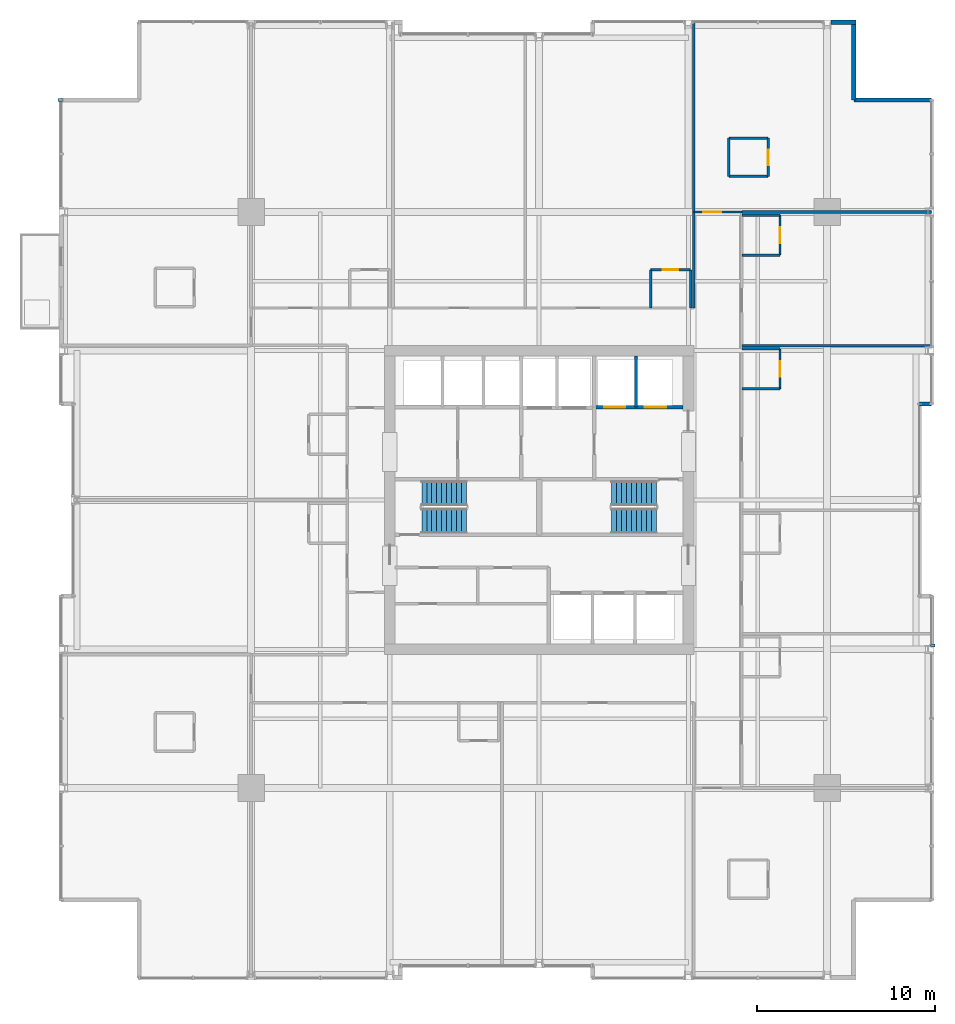
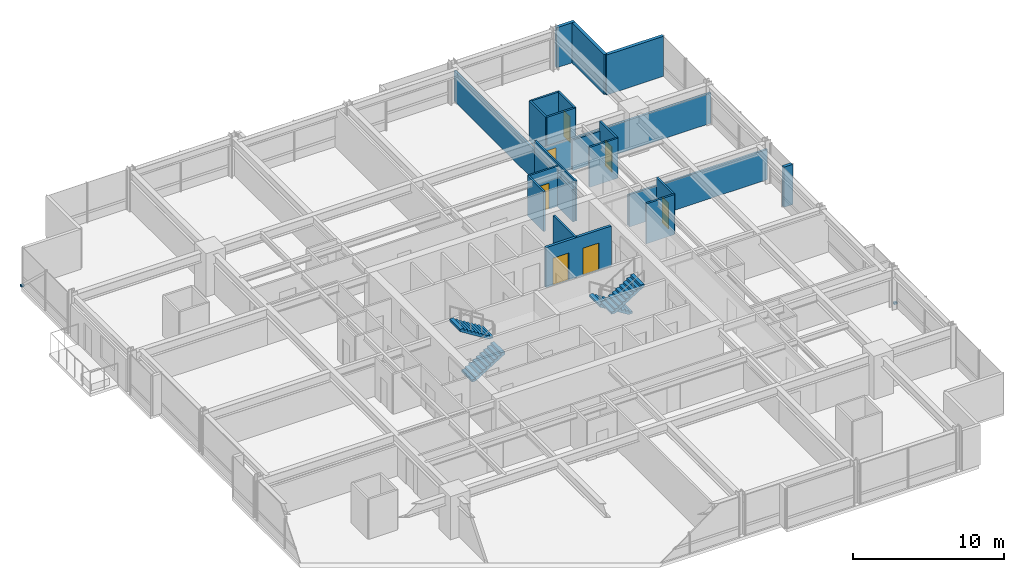
# One storey, part 31 of 33: 24 walls, 7 doors, 4 stair flights, 2 discrete accessories, 7 openings, 2 elements without a shape of their own.
"""IFC4 building model written with IfcOpenShell, lengths in metres."""

from ifc_helpers import new_model, si_unit, direction, frame, frame_2d, origin, origin_2d, place, context, subcontext, project, spatial, polyline, rectangle, outline, extrude, material, layer, layer_set, type_object, element, fill, aggregate, save


model = new_model("IFC4")

# Units and contexts
model_context = context("Model", 3, precision=1e-05, world=origin(), true_north=direction((0.0, 1.0)))
body_context = subcontext(model_context, "Body", "Model", "MODEL_VIEW")
ifc_project = project(units=[si_unit("LENGTHUNIT", "METRE"), si_unit("AREAUNIT", "SQUARE_METRE"), si_unit("VOLUMEUNIT", "CUBIC_METRE"), si_unit("PLANEANGLEUNIT", "RADIAN"), si_unit("MASSUNIT", "GRAM", prefix="KILO")], contexts=[model_context])

# Site, building, storey
site_placement = place(None, origin())
site = spatial("IfcSite", under=ifc_project, at=site_placement, CompositionType="ELEMENT")
building_placement = place(site_placement, origin())
building = spatial("IfcBuilding", under=site, at=building_placement, Name="Drelvath Grand Hotel", CompositionType="ELEMENT")
storey_placement = place(building_placement, frame((0.0, 0.0, 105.800048828125)))
storey = spatial("IfcBuildingStorey", under=building, at=storey_placement, Name="L26", CompositionType="ELEMENT", Elevation=105.800048828125)

# Wall, openings, doors
ifc_material_1 = material(Name="Concrete C40/50", Category="concrete")
ifc_layer_1 = layer(ifc_material_1, 0.199951171875)
ifc_layer_set_1 = layer_set([ifc_layer_1], Name="Concrete C40/50")
wall_type_1 = type_object("IfcWallType", Name="Core Hoistway Fire Wall 200", PredefinedType="SOLIDWALL", material=ifc_layer_set_1)
wall_1_placement = place(storey_placement, frame((3.10009765625, 32.219970703125, 0.0), z_axis=(0.0, 0.0, 1.0), x_axis=(1.0, 0.0, 0.0)))
wall_1 = element("IfcWall", 1, at=wall_1_placement, inside=storey, type_object=wall_type_1, Name="L26 FSAE Hoistway Front Wall", PredefinedType="SOLIDWALL", context=body_context, shape_type="SweptSolid", body=[
    extrude(rectangle(XDim=5.0, YDim=0.199951171875, at=frame_2d((2.5, 0.0))), origin(), (0.0, 0.0, 1.0), 3.239990234375),
])
opening_1_placement = place(wall_1_placement, frame((0.550048828125, 0.0, 0.0)))
opening_1 = element("IfcOpeningElement", 2, at=opening_1_placement, cuts=wall_1, Name="Opening LD-FSAE-1", PredefinedType="OPENING", context=body_context, shape_type="SweptSolid", body=[
    extrude(rectangle(XDim=1.199951171875, YDim=2.199951171875, at=frame_2d((0.60009765625, 1.10009765625))), frame((0.0, 0.10986328125, 0.0), z_axis=(0.0, -1.0, 0.0), x_axis=(1.0, 0.0, 0.0)), (0.0, 0.0, 1.0), 0.219970703125),
])
opening_2_placement = place(wall_1_placement, frame((2.85009765625, 0.0, 0.0)))
opening_2 = element("IfcOpeningElement", 3, at=opening_2_placement, cuts=wall_1, Name="Opening LD-FSAE-2", PredefinedType="OPENING", context=body_context, shape_type="SweptSolid", body=[
    extrude(rectangle(XDim=1.199951171875, YDim=2.199951171875, at=frame_2d((0.60009765625, 1.10009765625))), frame((0.0, 0.10986328125, 0.0), z_axis=(0.0, -1.0, 0.0), x_axis=(1.0, 0.0, 0.0)), (0.0, 0.0, 1.0), 0.219970703125),
])
ifc_material_2 = material(Name="Stainless Steel S355", Category="steel")
door_type_1 = type_object("IfcDoorType", Name="FSAE Lift Sliding Landing Door 1200x2200", OperationType="NOTDEFINED", PredefinedType="DOOR", material=ifc_material_2)
door_1_placement = place(opening_1_placement, origin())
door_1 = element("IfcDoor", 4, at=door_1_placement, inside=storey, type_object=door_type_1, Name="L26 Lift FSAE-1 Landing Door", OperationType="SLIDING_TO_LEFT", OverallHeight=2.199951171875, OverallWidth=1.199951171875, PredefinedType="DOOR", context=body_context, shape_type="SweptSolid", body=[
    extrude(rectangle(XDim=1.199951171875, YDim=2.199951171875, at=frame_2d((0.60009765625, 1.10009765625))), frame((0.0, 0.02490234375, 0.0), z_axis=(0.0, -1.0, 0.0), x_axis=(1.0, 0.0, 0.0)), (0.0, 0.0, 1.0), 0.050048828125),
])
fill(opening_1, door_1)
door_2_placement = place(opening_2_placement, origin())
door_2 = element("IfcDoor", 5, at=door_2_placement, inside=storey, type_object=door_type_1, Name="L26 Lift FSAE-2 Landing Door", OperationType="SLIDING_TO_LEFT", OverallHeight=2.199951171875, OverallWidth=1.199951171875, PredefinedType="DOOR", context=body_context, shape_type="SweptSolid", body=[
    extrude(rectangle(XDim=1.199951171875, YDim=2.199951171875, at=frame_2d((0.60009765625, 1.10009765625))), frame((0.0, 0.02490234375, 0.0), z_axis=(0.0, -1.0, 0.0), x_axis=(1.0, 0.0, 0.0)), (0.0, 0.0, 1.0), 0.050048828125),
])
fill(opening_2, door_2)

# Walls
ifc_material_3 = material(Name="Gypsum Fireboard Partition")
ifc_layer_2 = layer(ifc_material_3, 0.1650390625)
ifc_layer_set_2 = layer_set([ifc_layer_2], Name="Gypsum Fireboard Partition")
wall_type_2 = type_object("IfcWallType", Name="Core Shaft Partition 165", PredefinedType="PARTITIONING", material=ifc_layer_set_2)
wall_2_placement = place(storey_placement, frame((5.449951171875, 32.219970703125, 0.0), z_axis=(0.0, 0.0, 1.0), x_axis=(0.0, 1.0, 0.0)))
element("IfcWall", 6, at=wall_2_placement, inside=storey, type_object=wall_type_2, Name="L26 FSAE Hoistway Divider", PredefinedType="PARTITIONING", context=body_context, shape_type="SweptSolid", body=[
    extrude(rectangle(XDim=2.880126953125, YDim=0.1650390625, at=frame_2d((1.43994140625, 0.0))), origin(), (0.0, 0.0, 1.0), 3.239990234375),
])
ifc_layer_3 = layer(ifc_material_3, 0.135009765625)
ifc_layer_set_3 = layer_set([ifc_layer_3], Name="Gypsum Fireboard Partition")
wall_type_3 = type_object("IfcWallType", Name="Corridor Fire Barrier Wall 135", PredefinedType="PARTITIONING", material=ifc_layer_set_3)
wall_3_placement = place(storey_placement, frame((8.699951171875, 37.800048828125, 0.0), z_axis=(0.0, 0.0, 1.0), x_axis=(0.0, 1.0, 0.0)))
element("IfcWall", 7, at=wall_3_placement, inside=storey, type_object=wall_type_3, Name="L26 East Spine North Inner Wall", PredefinedType="PARTITIONING", context=body_context, shape_type="SweptSolid", body=[
    extrude(rectangle(XDim=5.39990234375, YDim=0.135009765625, at=frame_2d((2.699951171875, 0.0))), origin(), (0.0, 0.0, 1.0), 3.239990234375),
])

# Wall, opening, door
wall_4_placement = place(storey_placement, frame((8.699951171875, 43.199951171875, 0.0), z_axis=(0.0, 0.0, 1.0), x_axis=(1.0, 0.0, 0.0)))
wall_4 = element("IfcWall", 8, at=wall_4_placement, inside=storey, type_object=wall_type_3, Name="L26 East Spine North End", PredefinedType="PARTITIONING", context=body_context, shape_type="SweptSolid", body=[
    extrude(rectangle(XDim=2.699951171875, YDim=0.135009765625, at=frame_2d((1.35009765625, 0.0))), origin(), (0.0, 0.0, 1.0), 2.45166015625),
])
opening_3_placement = place(wall_4_placement, frame((0.52001953125, 0.0, 0.0)))
opening_3 = element("IfcOpeningElement", 9, at=opening_3_placement, cuts=wall_4, Name="Opening D-T2G2-028", PredefinedType="OPENING", context=body_context, shape_type="SweptSolid", body=[
    extrude(rectangle(XDim=1.02001953125, YDim=2.14990234375, at=frame_2d((0.510009765625, 1.074951171875))), frame((0.0, 0.077392578125, 0.0), z_axis=(0.0, -1.0, 0.0), x_axis=(1.0, 0.0, 0.0)), (0.0, 0.0, 1.0), 0.155029296875),
])
ifc_material_4 = material(Name="Hardwood Walnut Timber", Category="wood")
door_type_2 = type_object("IfcDoorType", Name="Amenity Meeting Fire Door 1020x2150", OperationType="NOTDEFINED", PredefinedType="DOOR", material=ifc_material_4)
door_3_placement = place(opening_3_placement, origin())
door_3 = element("IfcDoor", 10, at=door_3_placement, inside=storey, type_object=door_type_2, Name="L26 Corner Suite Entry Door", OperationType="SINGLE_SWING_LEFT", OverallHeight=2.14990234375, OverallWidth=1.02001953125, PredefinedType="DOOR", context=body_context, shape_type="SweptSolid", body=[
    extrude(rectangle(XDim=1.02001953125, YDim=2.14990234375, at=frame_2d((0.510009765625, 1.074951171875))), frame((0.0, 0.02490234375, 0.0), z_axis=(0.0, -1.0, 0.0), x_axis=(1.0, 0.0, 0.0)), (0.0, 0.0, 1.0), 0.050048828125),
])
fill(opening_3, door_3)

# Walls
ifc_material_5 = material(Name="Moisture-Resistant Gypsum Board")
ifc_layer_4 = layer(ifc_material_5, 0.139892578125)
ifc_layer_set_4 = layer_set([ifc_layer_4], Name="Moisture-Resistant Gypsum Board")
wall_type_4 = type_object("IfcWallType", Name="En-Suite Plumbing Wall 140", PredefinedType="PLUMBINGWALL", material=ifc_layer_set_4)
for number, where, z_axis, x_axis, name in (
    (11, (10.679931640625, 45.199951171875, 0.0), (0.0, 0.0, 1.0), (1.0, 0.0, 0.0), "L26 Corner En-Suite South"),
    (12, (10.679931640625, 47.35009765625, 0.0), (0.0, 0.0, 1.0), (1.0, 0.0, 0.0), "L26 Corner En-Suite North"),
):
    element("IfcWall", number, at=place(storey_placement, frame(where, z_axis=z_axis, x_axis=x_axis)), inside=storey, type_object=wall_type_4, Name=name, PredefinedType="PLUMBINGWALL", context=body_context, shape_type="SweptSolid", body=[
        extrude(rectangle(XDim=2.199951171875, YDim=0.139892578125, at=frame_2d((1.10009765625, 0.0))), origin(), (0.0, 0.0, 1.0), 3.239990234375),
    ])
wall_5_placement = place(storey_placement, frame((10.679931640625, 45.199951171875, 0.0), z_axis=(0.0, 0.0, 1.0), x_axis=(0.0, 1.0, 0.0)))
element("IfcWall", 13, at=wall_5_placement, inside=storey, type_object=wall_type_4, Name="L26 Corner En-Suite West", PredefinedType="PLUMBINGWALL", context=body_context, shape_type="SweptSolid", body=[
    extrude(rectangle(XDim=2.150146484375, YDim=0.139892578125, at=frame_2d((1.0751953125, 0.0))), origin(), (0.0, 0.0, 1.0), 3.239990234375),
])

# Wall, opening, door
wall_6_placement = place(storey_placement, frame((12.8798828125, 45.199951171875, 0.0), z_axis=(0.0, 0.0, 1.0), x_axis=(0.0, 1.0, 0.0)))
wall_6 = element("IfcWall", 14, at=wall_6_placement, inside=storey, type_object=wall_type_4, Name="L26 Corner En-Suite East", PredefinedType="PLUMBINGWALL", context=body_context, shape_type="SweptSolid", body=[
    extrude(rectangle(XDim=2.150146484375, YDim=0.139892578125, at=frame_2d((1.0751953125, 0.0))), origin(), (0.0, 0.0, 1.0), 3.239990234375),
])
opening_4_placement = place(wall_6_placement, frame((0.6201171875, 0.0, 0.0)))
opening_4 = element("IfcOpeningElement", 15, at=opening_4_placement, cuts=wall_6, Name="Opening D-T2G2-027", PredefinedType="OPENING", context=body_context, shape_type="SweptSolid", body=[
    extrude(rectangle(XDim=0.8798828125, YDim=2.10009765625, at=frame_2d((0.43994140625, 1.050048828125))), frame((0.0, 0.079833984375, 0.0), z_axis=(0.0, -1.0, 0.0), x_axis=(1.0, 0.0, 0.0)), (0.0, 0.0, 1.0), 0.159912109375),
])
door_type_3 = type_object("IfcDoorType", Name="En-Suite Bathroom Door 880x2100", OperationType="NOTDEFINED", PredefinedType="DOOR", material=ifc_material_4)
door_4_placement = place(opening_4_placement, origin())
door_4 = element("IfcDoor", 16, at=door_4_placement, inside=storey, type_object=door_type_3, Name="L26 Corner En-Suite Door", OperationType="SINGLE_SWING_RIGHT", OverallHeight=2.10009765625, OverallWidth=0.8798828125, PredefinedType="DOOR", context=body_context, shape_type="SweptSolid", body=[
    extrude(rectangle(XDim=0.8798828125, YDim=2.10009765625, at=frame_2d((0.43994140625, 1.050048828125))), frame((0.0, 0.02490234375, 0.0), z_axis=(0.0, -1.0, 0.0), x_axis=(1.0, 0.0, 0.0)), (0.0, 0.0, 1.0), 0.050048828125),
])
fill(opening_4, door_4)

# Walls
wall_7_placement = place(storey_placement, frame((6.27001953125, 37.800048828125, 0.0), z_axis=(0.0, 0.0, 1.0), x_axis=(0.0, 1.0, 0.0)))
element("IfcWall", 17, at=wall_7_placement, inside=storey, type_object=wall_type_4, Name="L26 En-Suite Left Wall", PredefinedType="PLUMBINGWALL", context=body_context, shape_type="SweptSolid", body=[
    extrude(rectangle(XDim=2.14990234375, YDim=0.139892578125, at=frame_2d((1.074951171875, 0.0))), origin(), (0.0, 0.0, 1.0), 3.239990234375),
])
wall_8_placement = place(storey_placement, frame((8.52001953125, 37.800048828125, 0.0), z_axis=(0.0, 0.0, 1.0), x_axis=(0.0, 1.0, 0.0)))
element("IfcWall", 18, at=wall_8_placement, inside=storey, type_object=wall_type_4, Name="L26 En-Suite Right Wall", PredefinedType="PLUMBINGWALL", context=body_context, shape_type="SweptSolid", body=[
    extrude(rectangle(XDim=2.14990234375, YDim=0.139892578125, at=frame_2d((1.074951171875, 0.0))), origin(), (0.0, 0.0, 1.0), 2.617431640625),
])

# Wall, opening, door
wall_9_placement = place(storey_placement, frame((6.27001953125, 39.949951171875, 0.0), z_axis=(0.0, 0.0, 1.0), x_axis=(1.0, 0.0, 0.0)))
wall_9 = element("IfcWall", 19, at=wall_9_placement, inside=storey, type_object=wall_type_4, Name="L26 En-Suite Front Wall", PredefinedType="PLUMBINGWALL", context=body_context, shape_type="SweptSolid", body=[
    extrude(rectangle(XDim=2.25, YDim=0.139892578125, at=frame_2d((1.125, 0.0))), origin(), (0.0, 0.0, 1.0), 3.239990234375),
])
opening_5_placement = place(wall_9_placement, frame((0.68505859375, 0.0, 0.0)))
opening_5 = element("IfcOpeningElement", 20, at=opening_5_placement, cuts=wall_9, Name="Opening D-T2G2-035", PredefinedType="OPENING", context=body_context, shape_type="SweptSolid", body=[
    extrude(rectangle(XDim=0.8798828125, YDim=2.10009765625, at=frame_2d((0.43994140625, 1.050048828125))), frame((0.0, 0.079833984375, 0.0), z_axis=(0.0, -1.0, 0.0), x_axis=(1.0, 0.0, 0.0)), (0.0, 0.0, 1.0), 0.159912109375),
])
door_5_placement = place(opening_5_placement, origin())
door_5 = element("IfcDoor", 21, at=door_5_placement, inside=storey, type_object=door_type_3, Name="L26 En-Suite Bathroom Door", OperationType="SINGLE_SWING_RIGHT", OverallHeight=2.10009765625, OverallWidth=0.8798828125, PredefinedType="DOOR", context=body_context, shape_type="SweptSolid", body=[
    extrude(rectangle(XDim=0.8798828125, YDim=2.10009765625, at=frame_2d((0.43994140625, 1.050048828125))), frame((0.0, 0.02490234375, 0.0), z_axis=(0.0, -1.0, 0.0), x_axis=(1.0, 0.0, 0.0)), (0.0, 0.0, 1.0), 0.050048828125),
])
fill(opening_5, door_5)

# Walls
wall_10_placement = place(storey_placement, frame((11.39990234375, 33.24853515625, 0.0), z_axis=(0.0, 0.0, 1.0), x_axis=(1.0, 0.0, 0.0)))
element("IfcWall", 22, at=wall_10_placement, inside=storey, type_object=wall_type_4, Name="L26 En-Suite Left Wall", PredefinedType="PLUMBINGWALL", context=body_context, shape_type="SweptSolid", body=[
    extrude(rectangle(XDim=2.150146484375, YDim=0.139892578125, at=frame_2d((1.0751953125, 0.0))), origin(), (0.0, 0.0, 1.0), 3.239990234375),
])
wall_11_placement = place(storey_placement, frame((11.39990234375, 35.49853515625, 0.0), z_axis=(0.0, 0.0, 1.0), x_axis=(1.0, 0.0, 0.0)))
element("IfcWall", 23, at=wall_11_placement, inside=storey, type_object=wall_type_4, Name="L26 En-Suite Right Wall", PredefinedType="PLUMBINGWALL", context=body_context, shape_type="SweptSolid", body=[
    extrude(rectangle(XDim=2.150146484375, YDim=0.139892578125, at=frame_2d((1.0751953125, 0.0))), origin(), (0.0, 0.0, 1.0), 2.617431640625),
])

# Wall, opening, door
wall_12_placement = place(storey_placement, frame((13.550048828125, 33.24853515625, 0.0), z_axis=(0.0, 0.0, 1.0), x_axis=(0.0, 1.0, 0.0)))
wall_12 = element("IfcWall", 24, at=wall_12_placement, inside=storey, type_object=wall_type_4, Name="L26 En-Suite Front Wall", PredefinedType="PLUMBINGWALL", context=body_context, shape_type="SweptSolid", body=[
    extrude(rectangle(XDim=2.25, YDim=0.139892578125, at=frame_2d((1.125, 0.0))), origin(), (0.0, 0.0, 1.0), 3.239990234375),
])
opening_6_placement = place(wall_12_placement, frame((0.68505859375, 0.0, 0.0)))
opening_6 = element("IfcOpeningElement", 25, at=opening_6_placement, cuts=wall_12, Name="Opening D-T2G2-041", PredefinedType="OPENING", context=body_context, shape_type="SweptSolid", body=[
    extrude(rectangle(XDim=0.8798828125, YDim=2.10009765625, at=frame_2d((0.43994140625, 1.050048828125))), frame((0.0, 0.079833984375, 0.0), z_axis=(0.0, -1.0, 0.0), x_axis=(1.0, 0.0, 0.0)), (0.0, 0.0, 1.0), 0.159912109375),
])
door_6_placement = place(opening_6_placement, origin())
door_6 = element("IfcDoor", 26, at=door_6_placement, inside=storey, type_object=door_type_3, Name="L26 En-Suite Bathroom Door", OperationType="SINGLE_SWING_RIGHT", OverallHeight=2.10009765625, OverallWidth=0.8798828125, PredefinedType="DOOR", context=body_context, shape_type="SweptSolid", body=[
    extrude(rectangle(XDim=0.8798828125, YDim=2.10009765625, at=frame_2d((0.43994140625, 1.050048828125))), frame((0.0, 0.02490234375, 0.0), z_axis=(0.0, -1.0, 0.0), x_axis=(1.0, 0.0, 0.0)), (0.0, 0.0, 1.0), 0.050048828125),
])
fill(opening_6, door_6)

# Walls
wall_13_placement = place(storey_placement, frame((11.39990234375, 40.77001953125, 0.0), z_axis=(0.0, 0.0, 1.0), x_axis=(1.0, 0.0, 0.0)))
element("IfcWall", 27, at=wall_13_placement, inside=storey, type_object=wall_type_4, Name="L26 En-Suite Left Wall", PredefinedType="PLUMBINGWALL", context=body_context, shape_type="SweptSolid", body=[
    extrude(rectangle(XDim=2.150146484375, YDim=0.139892578125, at=frame_2d((1.0751953125, 0.0))), origin(), (0.0, 0.0, 1.0), 3.239990234375),
])
wall_14_placement = place(storey_placement, frame((11.39990234375, 43.02001953125, 0.0), z_axis=(0.0, 0.0, 1.0), x_axis=(1.0, 0.0, 0.0)))
element("IfcWall", 28, at=wall_14_placement, inside=storey, type_object=wall_type_4, Name="L26 En-Suite Right Wall", PredefinedType="PLUMBINGWALL", context=body_context, shape_type="SweptSolid", body=[
    extrude(rectangle(XDim=2.150146484375, YDim=0.139892578125, at=frame_2d((1.0751953125, 0.0))), origin(), (0.0, 0.0, 1.0), 2.45166015625),
])

# Wall, opening, door
wall_15_placement = place(storey_placement, frame((13.550048828125, 40.77001953125, 0.0), z_axis=(0.0, 0.0, 1.0), x_axis=(0.0, 1.0, 0.0)))
wall_15 = element("IfcWall", 29, at=wall_15_placement, inside=storey, type_object=wall_type_4, Name="L26 En-Suite Front Wall", PredefinedType="PLUMBINGWALL", context=body_context, shape_type="SweptSolid", body=[
    extrude(rectangle(XDim=2.25, YDim=0.139892578125, at=frame_2d((1.125, 0.0))), origin(), (0.0, 0.0, 1.0), 3.239990234375),
])
opening_7_placement = place(wall_15_placement, frame((0.68505859375, 0.0, 0.0)))
opening_7 = element("IfcOpeningElement", 30, at=opening_7_placement, cuts=wall_15, Name="Opening D-T2G2-043", PredefinedType="OPENING", context=body_context, shape_type="SweptSolid", body=[
    extrude(rectangle(XDim=0.8798828125, YDim=2.10009765625, at=frame_2d((0.43994140625, 1.050048828125))), frame((0.0, 0.079833984375, 0.0), z_axis=(0.0, -1.0, 0.0), x_axis=(1.0, 0.0, 0.0)), (0.0, 0.0, 1.0), 0.159912109375),
])
door_7_placement = place(opening_7_placement, origin())
door_7 = element("IfcDoor", 31, at=door_7_placement, inside=storey, type_object=door_type_3, Name="L26 En-Suite Bathroom Door", OperationType="SINGLE_SWING_RIGHT", OverallHeight=2.10009765625, OverallWidth=0.8798828125, PredefinedType="DOOR", context=body_context, shape_type="SweptSolid", body=[
    extrude(rectangle(XDim=0.8798828125, YDim=2.10009765625, at=frame_2d((0.43994140625, 1.050048828125))), frame((0.0, 0.02490234375, 0.0), z_axis=(0.0, -1.0, 0.0), x_axis=(1.0, 0.0, 0.0)), (0.0, 0.0, 1.0), 0.050048828125),
])
fill(opening_7, door_7)

# Walls
ifc_material_6 = material(Name="Gypsum Acoustic Partition")
ifc_layer_5 = layer(ifc_material_6, 0.14990234375)
ifc_layer_set_5 = layer_set([ifc_layer_5], Name="Gypsum Acoustic Partition")
wall_type_5 = type_object("IfcWallType", Name="Guestroom Demising Wall 150", PredefinedType="PARTITIONING", material=ifc_layer_set_5)
wall_16_placement = place(storey_placement, frame((11.39990234375, 35.6787109375, 0.0), z_axis=(0.0, 0.0, 1.0), x_axis=(1.0, 0.0, 0.0)))
element("IfcWall", 32, at=wall_16_placement, inside=storey, type_object=wall_type_5, Name="L26 East Demising 3", PredefinedType="PARTITIONING", context=body_context, shape_type="SweptSolid", body=[
    extrude(rectangle(XDim=10.68017578125, YDim=0.14990234375, at=frame_2d((5.340087890625, 0.0))), origin(), (0.0, 0.0, 1.0), 2.45166015625),
])
ifc_layer_6 = layer(ifc_material_6, 0.1650390625)
ifc_layer_set_6 = layer_set([ifc_layer_6], Name="Gypsum Acoustic Partition")
wall_type_6 = type_object("IfcWallType", Name="Suite Demising Wall 165", PredefinedType="PARTITIONING", material=ifc_layer_set_6)
wall_17_placement = place(storey_placement, frame((8.699951171875, 43.199951171875, 0.0), z_axis=(0.0, 0.0, 1.0), x_axis=(0.0, 1.0, 0.0)))
element("IfcWall", 33, at=wall_17_placement, inside=storey, type_object=wall_type_6, Name="L26 NE Suite West Wall", PredefinedType="PARTITIONING", context=body_context, shape_type="SweptSolid", body=[
    extrude(rectangle(XDim=10.679931640625, YDim=0.1650390625, at=frame_2d((5.33984375, 0.0))), origin(), (0.0, 0.0, 1.0), 2.45166015625),
])
wall_18_placement = place(storey_placement, frame((11.39990234375, 43.199951171875, 0.0), z_axis=(0.0, 0.0, 1.0), x_axis=(1.0, 0.0, 0.0)))
element("IfcWall", 34, at=wall_18_placement, inside=storey, type_object=wall_type_6, Name="L26 NE Suite South Wall", PredefinedType="PARTITIONING", context=body_context, shape_type="SweptSolid", body=[
    extrude(rectangle(XDim=10.68017578125, YDim=0.1650390625, at=frame_2d((5.340087890625, 0.0))), origin(), (0.0, 0.0, 1.0), 2.45166015625),
])
ifc_material_7 = material(Name="Pale-Metal Insulated Aluminium Spandrel Assembly", Category="aluminium")
ifc_layer_7 = layer(ifc_material_7, 0.239990234375)
ifc_layer_set_7 = layer_set([ifc_layer_7], Name="Pale-Metal Insulated Aluminium Spandrel Assembly")
wall_type_7 = type_object("IfcWallType", Name="Tower Insulated Metal Spandrel Closure Wall 240", PredefinedType="STANDARD", material=ifc_layer_set_7)
wall_19_placement = place(storey_placement, frame((16.419677734375, 53.8798828125, 0.0), z_axis=(0.0, 0.0, 1.0), x_axis=(1.0, 0.0, 0.0)))
element("IfcWall", 35, at=wall_19_placement, inside=storey, type_object=wall_type_7, Name="L26 Corner Pier Spandrel Wall NE3", PredefinedType="STANDARD", context=body_context, shape_type="SweptSolid", body=[
    extrude(rectangle(XDim=1.400390625, YDim=0.239990234375, at=frame_2d((0.7001953125, 0.0))), origin(), (0.0, 0.0, 1.0), 3.239990234375),
])
wall_20_placement = place(storey_placement, frame((17.699951171875, 53.760009765625, 0.0), z_axis=(0.0, 0.0, 1.0), x_axis=(0.0, -1.0, 0.0)))
element("IfcWall", 36, at=wall_20_placement, inside=storey, type_object=wall_type_7, Name="L26 Notched Corner Return Spandrel Wall CNE1", PredefinedType="STANDARD", context=body_context, shape_type="SweptSolid", body=[
    extrude(rectangle(XDim=4.260009765625, YDim=0.239990234375, at=frame_2d((2.1298828125, 0.0))), origin(), (0.0, 0.0, 1.0), 3.239990234375),
])
wall_21_placement = place(storey_placement, frame((17.699951171875, 49.5, 0.0), z_axis=(0.0, 0.0, 1.0), x_axis=(1.0, 0.0, 0.0)))
element("IfcWall", 37, at=wall_21_placement, inside=storey, type_object=wall_type_7, Name="L26 Notched Corner Return Spandrel Wall CNE2", PredefinedType="STANDARD", context=body_context, shape_type="SweptSolid", body=[
    extrude(rectangle(XDim=4.380126953125, YDim=0.239990234375, at=frame_2d((2.18994140625, 0.0))), origin(), (0.0, 0.0, 1.0), 3.239990234375),
])
wall_22_placement = place(storey_placement, frame((22.080078125, 32.39990234375, 0.0), z_axis=(0.0, 0.0, 1.0), x_axis=(-1.0, 0.0, 0.0)))
element("IfcWall", 38, at=wall_22_placement, inside=storey, type_object=wall_type_7, Name="L26 Notched Corner Return Spandrel Wall RE1", PredefinedType="STANDARD", context=body_context, shape_type="SweptSolid", body=[
    extrude(rectangle(XDim=0.68017578125, YDim=0.239990234375, at=frame_2d((0.340087890625, 0.0))), origin(), (0.0, 0.0, 1.0), 3.239990234375),
])

# Stair, stair flights
stair_type = type_object("IfcStairType", Name="Dogleg Exit Stair W1400-R175.0", PredefinedType="HALF_TURN_STAIR", material=ifc_material_1)
stair_1_placement = place(storey_placement, origin())
stair_1 = element("IfcStair", 39, at=stair_1_placement, inside=storey, type_object=stair_type, Name="L26 Core Exit Stair ST-1", PredefinedType="HALF_TURN_STAIR")
stair_flight_type = type_object("IfcStairFlightType", Name="Concrete Stair Flight W1400-R175.0", PredefinedType="STRAIGHT", material=ifc_material_1)
stair_flight_1_placement = place(storey_placement, frame((-6.60009765625, 25.820068359375, 0.0), z_axis=(0.0, 0.0, 1.0), x_axis=(1.0, 0.0, 0.0)))
stair_flight_1 = element("IfcStairFlight", 40, at=stair_flight_1_placement, type_object=stair_flight_type, Name="ST-1 flight 1", NumberOfRisers=10, NumberOfTreads=9, PredefinedType="STRAIGHT", RiserHeight=0.175, TreadLength=0.28, context=body_context, shape_type="SweptSolid", body=[
    extrude(outline(polyline([(0.0, 0.0), (0.0, 0.175048828125), (0.280029296875, 0.175048828125), (0.280029296875, 0.35009765625), (0.56005859375, 0.35009765625), (0.56005859375, 0.52490234375), (0.840087890625, 0.52490234375), (0.840087890625, 0.699951171875), (1.1201171875, 0.699951171875), (1.1201171875, 0.875), (1.39990234375, 0.875), (1.39990234375, 1.050048828125), (1.679931640625, 1.050048828125), (1.679931640625, 1.22509765625), (1.9599609375, 1.22509765625), (1.9599609375, 1.39990234375), (2.239990234375, 1.39990234375), (2.239990234375, 1.574951171875), (2.52001953125, 1.574951171875), (2.52001953125, 1.75), (2.52001953125, 1.386474609375), (0.3017578125, 0.0), (0.0, 0.0)])), frame((0.0, 0.699951171875, 0.0), z_axis=(0.0, -1.0, 0.0), x_axis=(1.0, 0.0, 0.0)), (0.0, 0.0, 1.0), 1.39990234375),
])
stair_flight_2_placement = place(storey_placement, frame((-4.080078125, 27.3798828125, 1.75), z_axis=(0.0, 0.0, 1.0), x_axis=(-1.0, 0.0, 0.0)))
stair_flight_2 = element("IfcStairFlight", 41, at=stair_flight_2_placement, type_object=stair_flight_type, Name="ST-1 flight 2", NumberOfRisers=10, NumberOfTreads=9, PredefinedType="STRAIGHT", RiserHeight=0.175, TreadLength=0.28, context=body_context, shape_type="SweptSolid", body=[
    extrude(outline(polyline([(0.0, 0.0), (0.0, 0.175048828125), (0.280029296875, 0.175048828125), (0.280029296875, 0.35009765625), (0.56005859375, 0.35009765625), (0.56005859375, 0.52490234375), (0.840087890625, 0.52490234375), (0.840087890625, 0.699951171875), (1.1201171875, 0.699951171875), (1.1201171875, 0.875), (1.39990234375, 0.875), (1.39990234375, 1.050048828125), (1.679931640625, 1.050048828125), (1.679931640625, 1.22509765625), (1.9599609375, 1.22509765625), (1.9599609375, 1.39990234375), (2.239990234375, 1.39990234375), (2.239990234375, 1.574951171875), (2.52001953125, 1.574951171875), (2.52001953125, 1.75), (2.52001953125, 1.386474609375), (0.3017578125, 0.0), (0.0, 0.0)])), frame((0.0, 0.699951171875, 0.0), z_axis=(0.0, -1.0, 0.0), x_axis=(1.0, 0.0, 0.0)), (0.0, 0.0, 1.0), 1.39990234375),
])
aggregate(stair_1, [stair_flight_1, stair_flight_2])

stair_2_placement = place(storey_placement, origin())
stair_2 = element("IfcStair", 42, at=stair_2_placement, inside=storey, type_object=stair_type, Name="L26 Core Exit Stair ST-2", PredefinedType="HALF_TURN_STAIR")
stair_flight_3_placement = place(storey_placement, frame((6.60009765625, 27.3798828125, 0.0), z_axis=(0.0, 0.0, 1.0), x_axis=(-1.0, 0.0, 0.0)))
stair_flight_3 = element("IfcStairFlight", 43, at=stair_flight_3_placement, type_object=stair_flight_type, Name="ST-2 flight 1", NumberOfRisers=10, NumberOfTreads=9, PredefinedType="STRAIGHT", RiserHeight=0.175, TreadLength=0.28, context=body_context, shape_type="SweptSolid", body=[
    extrude(outline(polyline([(0.0, 0.0), (0.0, 0.175048828125), (0.280029296875, 0.175048828125), (0.280029296875, 0.35009765625), (0.56005859375, 0.35009765625), (0.56005859375, 0.52490234375), (0.840087890625, 0.52490234375), (0.840087890625, 0.699951171875), (1.1201171875, 0.699951171875), (1.1201171875, 0.875), (1.39990234375, 0.875), (1.39990234375, 1.050048828125), (1.679931640625, 1.050048828125), (1.679931640625, 1.22509765625), (1.9599609375, 1.22509765625), (1.9599609375, 1.39990234375), (2.239990234375, 1.39990234375), (2.239990234375, 1.574951171875), (2.52001953125, 1.574951171875), (2.52001953125, 1.75), (2.52001953125, 1.386474609375), (0.3017578125, 0.0), (0.0, 0.0)])), frame((0.0, 0.699951171875, 0.0), z_axis=(0.0, -1.0, 0.0), x_axis=(1.0, 0.0, 0.0)), (0.0, 0.0, 1.0), 1.39990234375),
])
stair_flight_4_placement = place(storey_placement, frame((4.080078125, 25.820068359375, 1.75), z_axis=(0.0, 0.0, 1.0), x_axis=(1.0, 0.0, 0.0)))
stair_flight_4 = element("IfcStairFlight", 44, at=stair_flight_4_placement, type_object=stair_flight_type, Name="ST-2 flight 2", NumberOfRisers=10, NumberOfTreads=9, PredefinedType="STRAIGHT", RiserHeight=0.175, TreadLength=0.28, context=body_context, shape_type="SweptSolid", body=[
    extrude(outline(polyline([(0.0, 0.0), (0.0, 0.175048828125), (0.280029296875, 0.175048828125), (0.280029296875, 0.35009765625), (0.56005859375, 0.35009765625), (0.56005859375, 0.52490234375), (0.840087890625, 0.52490234375), (0.840087890625, 0.699951171875), (1.1201171875, 0.699951171875), (1.1201171875, 0.875), (1.39990234375, 0.875), (1.39990234375, 1.050048828125), (1.679931640625, 1.050048828125), (1.679931640625, 1.22509765625), (1.9599609375, 1.22509765625), (1.9599609375, 1.39990234375), (2.239990234375, 1.39990234375), (2.239990234375, 1.574951171875), (2.52001953125, 1.574951171875), (2.52001953125, 1.75), (2.52001953125, 1.386474609375), (0.3017578125, 0.0), (0.0, 0.0)])), frame((0.0, 0.699951171875, 0.0), z_axis=(0.0, -1.0, 0.0), x_axis=(1.0, 0.0, 0.0)), (0.0, 0.0, 1.0), 1.39990234375),
])
aggregate(stair_2, [stair_flight_3, stair_flight_4])

# Discrete accessories
ifc_material_8 = material(Name="Stainless Steel Grade 316", Category="steel")
discrete_accessory_type = type_object("IfcDiscreteAccessoryType", Name="Curtain Wall Fin Mounting Bracket Cleat", PredefinedType="BRACKET", material=ifc_material_8)
for number, where, z_axis, x_axis, name in (
    (45, (-26.93994140625, 49.5, 0.10009765625), (0.0, 0.0, 1.0), (0.0, 1.0, 0.0), "L26 Fin Mounting Bracket CW03-L26-WN3-1"),
    (46, (22.139892578125, 18.819580078125, 0.10009765625), (0.0, 0.0, 1.0), (0.0, -1.0, 0.0), "L26 Fin Mounting Bracket CW03-L26-ES3-1"),
):
    element("IfcDiscreteAccessory", number, at=place(storey_placement, frame(where, z_axis=z_axis, x_axis=x_axis)), inside=storey, type_object=discrete_accessory_type, Name=name, PredefinedType="BRACKET", context=body_context, shape_type="SweptSolid", body=[
        extrude(rectangle(XDim=0.159912109375, YDim=0.239990234375, at=origin_2d()), origin(), (0.0, 0.0, 1.0), 0.159912109375),
    ])

save(model, "model.ifc")
